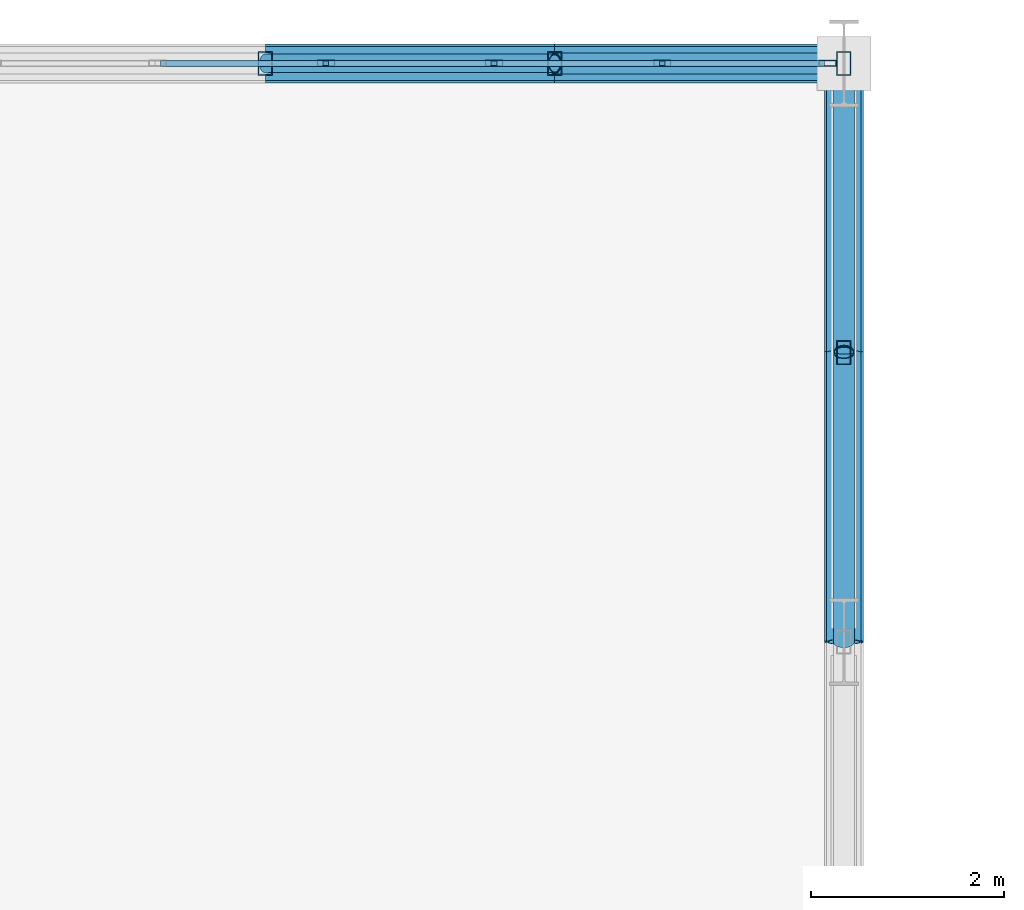
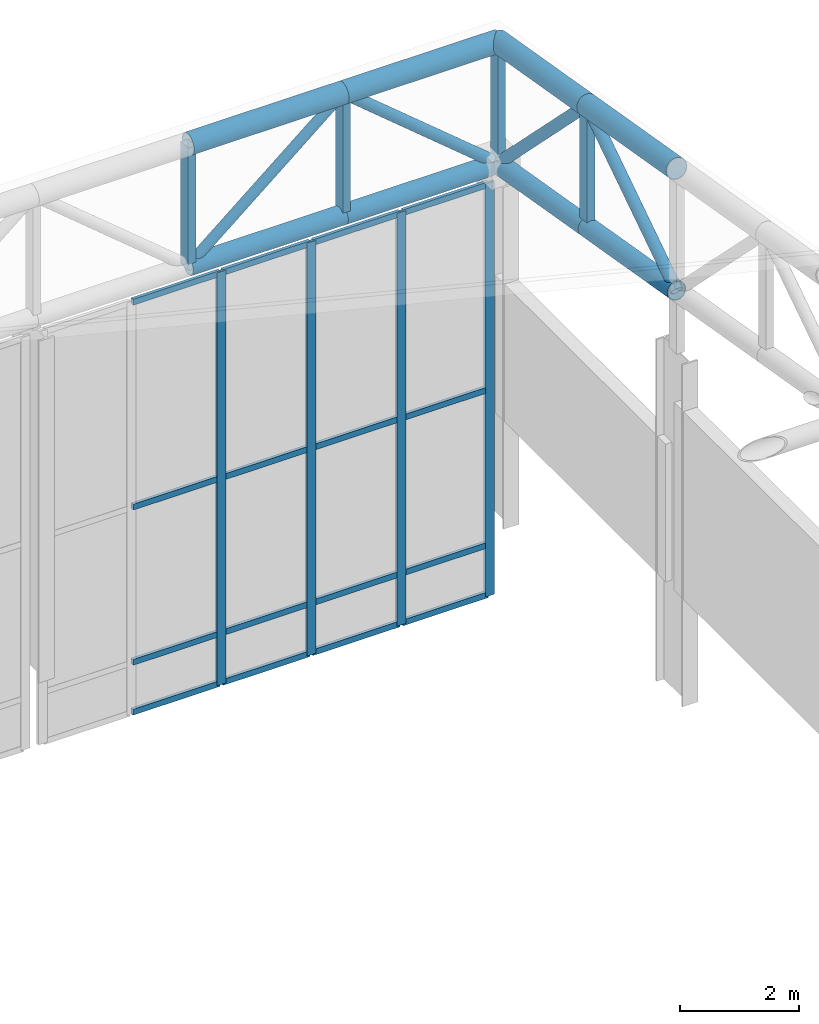
# One storey, part 137 of 239: 36 members, 1 element without a shape of its own.
"""IFC4 building model written with IfcOpenShell, lengths in metres."""

from ifc_helpers import new_model, si_unit, direction, frame, origin, origin_2d, place, context, subcontext, project, spatial, hollow_rectangle, hollow_circle, extrude, material, material_profile, profile_set, type_object, element, aggregate, save


model = new_model("IFC4")

# Units and contexts
model_context = context("Model", 3, precision=1e-05, world=origin(), true_north=direction((0.0, 1.0)))
body_context = subcontext(model_context, "Body", "Model", "MODEL_VIEW")
ifc_project = project(units=[si_unit("LENGTHUNIT", "METRE"), si_unit("AREAUNIT", "SQUARE_METRE"), si_unit("VOLUMEUNIT", "CUBIC_METRE"), si_unit("PLANEANGLEUNIT", "RADIAN"), si_unit("MASSUNIT", "GRAM", prefix="KILO")], contexts=[model_context])

# Site, building, storey
site_placement = place(None, origin())
site = spatial("IfcSite", under=ifc_project, at=site_placement, CompositionType="ELEMENT")
building_placement = place(site_placement, origin())
building = spatial("IfcBuilding", under=site, at=building_placement, Name="Kaldris Quays Convention Centre", CompositionType="ELEMENT")
storey_placement = place(building_placement, frame((0.0, 0.0, 11.39990234375)))
storey = spatial("IfcBuildingStorey", under=building, at=storey_placement, Name="L02", CompositionType="ELEMENT", Elevation=11.39990234375)

# Curtain wall, members
ifc_material_1 = material(Name="Anodized aluminium AW-6060 and triple glazing", Category="aluminium")
curtain_wall_type = type_object("IfcCurtainWallType", Name="UNITISED CURTAIN WALL CW03", PredefinedType="NOTDEFINED", material=ifc_material_1)
curtain_wall_placement = place(storey_placement, origin())
curtain_wall = element("IfcCurtainWall", 1, at=curtain_wall_placement, inside=storey, type_object=curtain_wall_type, Name="L02 Unitised Curtain Wall CW03 254", PredefinedType="NOTDEFINED")
ifc_material_2 = material(Name="Anodized aluminium AW-6060", Category="aluminium")
ifc_material_profile_1 = material_profile(ifc_material_2, hollow_rectangle(XDim=0.06005859375, YDim=0.179931640625, WallThickness=0.0048828125, at=origin_2d()), Name="RHS 180x60x5")
ifc_profile_set_1 = profile_set([ifc_material_profile_1], Name="Anodized aluminium AW-6060")
member_type_1 = type_object("IfcMemberType", Name="CURTAIN MULLION CWM2", PredefinedType="MULLION", material=ifc_profile_set_1)
member_1_placement = place(storey_placement, frame((140.6279296875, 140.0, -1.60498046875), z_axis=(0.0, 0.0, 1.0), x_axis=(0.0, 1.0, 0.0)))
member_1 = element("IfcMember", 2, at=member_1_placement, type_object=member_type_1, Name="CW03 mullion 3", PredefinedType="MULLION", context=body_context, shape_type="SweptSolid", body=[
    extrude(hollow_rectangle(XDim=0.06005859375, YDim=0.179931640625, WallThickness=0.0048828125, at=origin_2d()), origin(), (0.0, 0.0, 1.0), 8.455078125),
])
member_2_placement = place(storey_placement, frame((142.3720703125, 140.0, -1.60498046875), z_axis=(0.0, 0.0, 1.0), x_axis=(0.0, 1.0, 0.0)))
member_2 = element("IfcMember", 3, at=member_2_placement, type_object=member_type_1, Name="CW03 mullion 4", PredefinedType="MULLION", context=body_context, shape_type="SweptSolid", body=[
    extrude(hollow_rectangle(XDim=0.06005859375, YDim=0.179931640625, WallThickness=0.0048828125, at=origin_2d()), origin(), (0.0, 0.0, 1.0), 8.455078125),
])
member_3_placement = place(storey_placement, frame((144.115966796875, 140.0, -1.60498046875), z_axis=(0.0, 0.0, 1.0), x_axis=(0.0, 1.0, 0.0)))
member_3 = element("IfcMember", 4, at=member_3_placement, type_object=member_type_1, Name="CW03 mullion 5", PredefinedType="MULLION", context=body_context, shape_type="SweptSolid", body=[
    extrude(hollow_rectangle(XDim=0.06005859375, YDim=0.179931640625, WallThickness=0.0048828125, at=origin_2d()), origin(), (0.0, 0.0, 1.0), 8.455078125),
])
member_4_placement = place(storey_placement, frame((145.830078125, 140.0, -1.60498046875), z_axis=(0.0, 0.0, 1.0), x_axis=(0.0, 1.0, 0.0)))
member_4 = element("IfcMember", 5, at=member_4_placement, type_object=member_type_1, Name="CW03 mullion 6", PredefinedType="MULLION", context=body_context, shape_type="SweptSolid", body=[
    extrude(hollow_rectangle(XDim=0.06005859375, YDim=0.179931640625, WallThickness=0.0048828125, at=origin_2d()), origin(), (0.0, 0.0, 1.0), 8.455078125),
])
ifc_material_profile_2 = material_profile(ifc_material_2, hollow_rectangle(XDim=0.06005859375, YDim=0.1201171875, WallThickness=0.00390625, at=origin_2d()), Name="RHS 120x60x4")
ifc_profile_set_2 = profile_set([ifc_material_profile_2], Name="Anodized aluminium AW-6060")
member_type_2 = type_object("IfcMemberType", Name="CURTAIN TRANSOM CWT1", PredefinedType="USERDEFINED", material=ifc_profile_set_2)
member_5_placement = place(storey_placement, frame((138.9140625, 140.0, -1.574951171875), z_axis=(1.0, 0.0, 0.0), x_axis=(0.0, 1.0, 0.0)))
member_5 = element("IfcMember", 6, at=member_5_placement, type_object=member_type_2, Name="CW03 transom 2.1", ObjectType="TRANSOM", PredefinedType="USERDEFINED", context=body_context, shape_type="SweptSolid", body=[
    extrude(hollow_rectangle(XDim=0.06005859375, YDim=0.1201171875, WallThickness=0.00390625, at=origin_2d()), origin(), (0.0, 0.0, 1.0), 1.683837890625),
])
member_6_placement = place(storey_placement, frame((138.9140625, 140.0, -0.554931640625), z_axis=(1.0, 0.0, 0.0), x_axis=(0.0, 1.0, 0.0)))
member_6 = element("IfcMember", 7, at=member_6_placement, type_object=member_type_2, Name="CW03 transom 2.2", ObjectType="TRANSOM", PredefinedType="USERDEFINED", context=body_context, shape_type="SweptSolid", body=[
    extrude(hollow_rectangle(XDim=0.06005859375, YDim=0.1201171875, WallThickness=0.00390625, at=origin_2d()), origin(), (0.0, 0.0, 1.0), 1.683837890625),
])
member_7_placement = place(storey_placement, frame((138.9140625, 140.0, 2.623046875), z_axis=(1.0, 0.0, 0.0), x_axis=(0.0, 1.0, 0.0)))
member_7 = element("IfcMember", 8, at=member_7_placement, type_object=member_type_2, Name="CW03 transom 2.3", ObjectType="TRANSOM", PredefinedType="USERDEFINED", context=body_context, shape_type="SweptSolid", body=[
    extrude(hollow_rectangle(XDim=0.06005859375, YDim=0.1201171875, WallThickness=0.00390625, at=origin_2d()), origin(), (0.0, 0.0, 1.0), 1.683837890625),
])
member_8_placement = place(storey_placement, frame((138.9140625, 140.0, 6.820068359375), z_axis=(1.0, 0.0, 0.0), x_axis=(0.0, 1.0, 0.0)))
member_8 = element("IfcMember", 9, at=member_8_placement, type_object=member_type_2, Name="CW03 transom 2.4", ObjectType="TRANSOM", PredefinedType="USERDEFINED", context=body_context, shape_type="SweptSolid", body=[
    extrude(hollow_rectangle(XDim=0.06005859375, YDim=0.1201171875, WallThickness=0.00390625, at=origin_2d()), origin(), (0.0, 0.0, 1.0), 1.683837890625),
])
member_9_placement = place(storey_placement, frame((140.657958984375, 140.0, -1.574951171875), z_axis=(1.0, 0.0, 0.0), x_axis=(0.0, 1.0, 0.0)))
member_9 = element("IfcMember", 10, at=member_9_placement, type_object=member_type_2, Name="CW03 transom 3.1", ObjectType="TRANSOM", PredefinedType="USERDEFINED", context=body_context, shape_type="SweptSolid", body=[
    extrude(hollow_rectangle(XDim=0.06005859375, YDim=0.1201171875, WallThickness=0.00390625, at=origin_2d()), origin(), (0.0, 0.0, 1.0), 1.68408203125),
])
member_10_placement = place(storey_placement, frame((140.657958984375, 140.0, -0.554931640625), z_axis=(1.0, 0.0, 0.0), x_axis=(0.0, 1.0, 0.0)))
member_10 = element("IfcMember", 11, at=member_10_placement, type_object=member_type_2, Name="CW03 transom 3.2", ObjectType="TRANSOM", PredefinedType="USERDEFINED", context=body_context, shape_type="SweptSolid", body=[
    extrude(hollow_rectangle(XDim=0.06005859375, YDim=0.1201171875, WallThickness=0.00390625, at=origin_2d()), origin(), (0.0, 0.0, 1.0), 1.68408203125),
])
member_11_placement = place(storey_placement, frame((140.657958984375, 140.0, 2.623046875), z_axis=(1.0, 0.0, 0.0), x_axis=(0.0, 1.0, 0.0)))
member_11 = element("IfcMember", 12, at=member_11_placement, type_object=member_type_2, Name="CW03 transom 3.3", ObjectType="TRANSOM", PredefinedType="USERDEFINED", context=body_context, shape_type="SweptSolid", body=[
    extrude(hollow_rectangle(XDim=0.06005859375, YDim=0.1201171875, WallThickness=0.00390625, at=origin_2d()), origin(), (0.0, 0.0, 1.0), 1.68408203125),
])
member_12_placement = place(storey_placement, frame((140.657958984375, 140.0, 6.820068359375), z_axis=(1.0, 0.0, 0.0), x_axis=(0.0, 1.0, 0.0)))
member_12 = element("IfcMember", 13, at=member_12_placement, type_object=member_type_2, Name="CW03 transom 3.4", ObjectType="TRANSOM", PredefinedType="USERDEFINED", context=body_context, shape_type="SweptSolid", body=[
    extrude(hollow_rectangle(XDim=0.06005859375, YDim=0.1201171875, WallThickness=0.00390625, at=origin_2d()), origin(), (0.0, 0.0, 1.0), 1.68408203125),
])
member_13_placement = place(storey_placement, frame((142.402099609375, 140.0, -1.574951171875), z_axis=(1.0, 0.0, 0.0), x_axis=(0.0, 1.0, 0.0)))
member_13 = element("IfcMember", 14, at=member_13_placement, type_object=member_type_2, Name="CW03 transom 4.1", ObjectType="TRANSOM", PredefinedType="USERDEFINED", context=body_context, shape_type="SweptSolid", body=[
    extrude(hollow_rectangle(XDim=0.06005859375, YDim=0.1201171875, WallThickness=0.00390625, at=origin_2d()), origin(), (0.0, 0.0, 1.0), 1.683837890625),
])
member_14_placement = place(storey_placement, frame((142.402099609375, 140.0, -0.554931640625), z_axis=(1.0, 0.0, 0.0), x_axis=(0.0, 1.0, 0.0)))
member_14 = element("IfcMember", 15, at=member_14_placement, type_object=member_type_2, Name="CW03 transom 4.2", ObjectType="TRANSOM", PredefinedType="USERDEFINED", context=body_context, shape_type="SweptSolid", body=[
    extrude(hollow_rectangle(XDim=0.06005859375, YDim=0.1201171875, WallThickness=0.00390625, at=origin_2d()), origin(), (0.0, 0.0, 1.0), 1.683837890625),
])
member_15_placement = place(storey_placement, frame((142.402099609375, 140.0, 2.623046875), z_axis=(1.0, 0.0, 0.0), x_axis=(0.0, 1.0, 0.0)))
member_15 = element("IfcMember", 16, at=member_15_placement, type_object=member_type_2, Name="CW03 transom 4.3", ObjectType="TRANSOM", PredefinedType="USERDEFINED", context=body_context, shape_type="SweptSolid", body=[
    extrude(hollow_rectangle(XDim=0.06005859375, YDim=0.1201171875, WallThickness=0.00390625, at=origin_2d()), origin(), (0.0, 0.0, 1.0), 1.683837890625),
])
member_16_placement = place(storey_placement, frame((142.402099609375, 140.0, 6.820068359375), z_axis=(1.0, 0.0, 0.0), x_axis=(0.0, 1.0, 0.0)))
member_16 = element("IfcMember", 17, at=member_16_placement, type_object=member_type_2, Name="CW03 transom 4.4", ObjectType="TRANSOM", PredefinedType="USERDEFINED", context=body_context, shape_type="SweptSolid", body=[
    extrude(hollow_rectangle(XDim=0.06005859375, YDim=0.1201171875, WallThickness=0.00390625, at=origin_2d()), origin(), (0.0, 0.0, 1.0), 1.683837890625),
])
member_17_placement = place(storey_placement, frame((144.14599609375, 140.0, -1.574951171875), z_axis=(1.0, 0.0, 0.0), x_axis=(0.0, 1.0, 0.0)))
member_17 = element("IfcMember", 18, at=member_17_placement, type_object=member_type_2, Name="CW03 transom 5.1", ObjectType="TRANSOM", PredefinedType="USERDEFINED", context=body_context, shape_type="SweptSolid", body=[
    extrude(hollow_rectangle(XDim=0.06005859375, YDim=0.1201171875, WallThickness=0.00390625, at=origin_2d()), origin(), (0.0, 0.0, 1.0), 1.654052734375),
])
member_18_placement = place(storey_placement, frame((144.14599609375, 140.0, -0.554931640625), z_axis=(1.0, 0.0, 0.0), x_axis=(0.0, 1.0, 0.0)))
member_18 = element("IfcMember", 19, at=member_18_placement, type_object=member_type_2, Name="CW03 transom 5.2", ObjectType="TRANSOM", PredefinedType="USERDEFINED", context=body_context, shape_type="SweptSolid", body=[
    extrude(hollow_rectangle(XDim=0.06005859375, YDim=0.1201171875, WallThickness=0.00390625, at=origin_2d()), origin(), (0.0, 0.0, 1.0), 1.654052734375),
])
member_19_placement = place(storey_placement, frame((144.14599609375, 140.0, 2.623046875), z_axis=(1.0, 0.0, 0.0), x_axis=(0.0, 1.0, 0.0)))
member_19 = element("IfcMember", 20, at=member_19_placement, type_object=member_type_2, Name="CW03 transom 5.3", ObjectType="TRANSOM", PredefinedType="USERDEFINED", context=body_context, shape_type="SweptSolid", body=[
    extrude(hollow_rectangle(XDim=0.06005859375, YDim=0.1201171875, WallThickness=0.00390625, at=origin_2d()), origin(), (0.0, 0.0, 1.0), 1.654052734375),
])
member_20_placement = place(storey_placement, frame((144.14599609375, 140.0, 6.820068359375), z_axis=(1.0, 0.0, 0.0), x_axis=(0.0, 1.0, 0.0)))
member_20 = element("IfcMember", 21, at=member_20_placement, type_object=member_type_2, Name="CW03 transom 5.4", ObjectType="TRANSOM", PredefinedType="USERDEFINED", context=body_context, shape_type="SweptSolid", body=[
    extrude(hollow_rectangle(XDim=0.06005859375, YDim=0.1201171875, WallThickness=0.00390625, at=origin_2d()), origin(), (0.0, 0.0, 1.0), 1.654052734375),
])
aggregate(curtain_wall, [member_1, member_2, member_3, member_4, member_5, member_6, member_7, member_8, member_9, member_10, member_11, member_12, member_13, member_14, member_15, member_16, member_17, member_18, member_19, member_20])

# Members
ifc_material_3 = material(Name="Steel S355J2H", Category="steel")
ifc_material_profile_3 = material_profile(ifc_material_3, hollow_circle(Radius=0.203125, WallThickness=0.01611328125, at=origin_2d()), Name="CHS 406.4x16")
ifc_profile_set_3 = profile_set([ifc_material_profile_3], Name="Steel S355J2H")
member_type_3 = type_object("IfcMemberType", Name="STRUCTURAL MEMBER SC01", PredefinedType="CHORD", material=ifc_profile_set_3)
for number, where, z_axis, x_axis, name in (
    (22, (140.0, 140.0, 9.671875), (1.0, 0.0, 0.0), (0.0, 1.0, 0.0), "SF-V1 Top Chord X 335"),
    (23, (143.0, 140.0, 9.671875), (1.0, 0.0, 0.0), (0.0, 1.0, 0.0), "SF-V1 Top Chord X 336"),
):
    element("IfcMember", number, at=place(storey_placement, frame(where, z_axis=z_axis, x_axis=x_axis)), inside=storey, type_object=member_type_3, Name=name, PredefinedType="CHORD", context=body_context, shape_type="SweptSolid", body=[
        extrude(hollow_circle(Radius=0.203125, WallThickness=0.01611328125, at=origin_2d()), origin(), (0.0, 0.0, 1.0), 3.0),
    ])
for number, where, z_axis, x_axis, name in (
    (24, (146.0, 134.0, 10.700439453125), (0.0, 0.98562912375, -0.168923741424), (-1.0, 0.0, 0.0), "SF-V1 Top Chord Y 559"),
    (25, (146.0, 137.0, 10.186279296875), (0.0, 0.985615766076, -0.169001661712), (-1.0, 0.0, 0.0), "SF-V1 Top Chord Y 560"),
):
    element("IfcMember", number, at=place(storey_placement, frame(where, z_axis=z_axis, x_axis=x_axis)), inside=storey, type_object=member_type_3, Name=name, PredefinedType="CHORD", context=body_context, shape_type="SweptSolid", body=[
        extrude(hollow_circle(Radius=0.203125, WallThickness=0.01611328125, at=origin_2d()), origin(), (0.0, 0.0, 1.0), 3.043701171875),
    ])
ifc_material_profile_4 = material_profile(ifc_material_3, hollow_circle(Radius=0.177734375, WallThickness=0.01611328125, at=origin_2d()), Name="CHS 355.6x16")
ifc_profile_set_4 = profile_set([ifc_material_profile_4], Name="Steel S355J2H")
member_type_4 = type_object("IfcMemberType", Name="STRUCTURAL MEMBER SC02", PredefinedType="CHORD", material=ifc_profile_set_4)
for number, where, z_axis, x_axis, name in (
    (26, (140.0, 140.0, 7.171875), (1.0, 0.0, 0.0), (0.0, 1.0, 0.0), "SF-V1 Bottom Chord X 335"),
    (27, (143.0, 140.0, 7.171875), (1.0, 0.0, 0.0), (0.0, 1.0, 0.0), "SF-V1 Bottom Chord X 336"),
):
    element("IfcMember", number, at=place(storey_placement, frame(where, z_axis=z_axis, x_axis=x_axis)), inside=storey, type_object=member_type_4, Name=name, PredefinedType="CHORD", context=body_context, shape_type="SweptSolid", body=[
        extrude(hollow_circle(Radius=0.177734375, WallThickness=0.01611328125, at=origin_2d()), origin(), (0.0, 0.0, 1.0), 3.0),
    ])
for number, where, z_axis, x_axis, name in (
    (28, (146.0, 134.0, 8.200439453125), (0.0, 0.98562912375, -0.168923741424), (-1.0, 0.0, 0.0), "SF-V1 Bottom Chord Y 559"),
    (29, (146.0, 137.0, 7.686279296875), (0.0, 0.985615766076, -0.169001661712), (-1.0, 0.0, 0.0), "SF-V1 Bottom Chord Y 560"),
):
    element("IfcMember", number, at=place(storey_placement, frame(where, z_axis=z_axis, x_axis=x_axis)), inside=storey, type_object=member_type_4, Name=name, PredefinedType="CHORD", context=body_context, shape_type="SweptSolid", body=[
        extrude(hollow_circle(Radius=0.177734375, WallThickness=0.01611328125, at=origin_2d()), origin(), (0.0, 0.0, 1.0), 3.043701171875),
    ])
ifc_material_profile_5 = material_profile(ifc_material_3, hollow_circle(Radius=0.109619140625, WallThickness=0.010009765625, at=origin_2d()), Name="CHS 219.1x10")
ifc_profile_set_5 = profile_set([ifc_material_profile_5], Name="Steel S355J2H")
member_type_5 = type_object("IfcMemberType", Name="STRUCTURAL MEMBER SWB1", PredefinedType="BRACE", material=ifc_profile_set_5)
member_21_placement = place(storey_placement, frame((146.0, 140.0, 7.171875), z_axis=(-0.768221279597, 0.0, 0.640184399664), x_axis=(0.0, -1.0, 0.0)))
element("IfcMember", 30, at=member_21_placement, inside=storey, type_object=member_type_5, Name="SF-V1 Web Diagonal X 336", PredefinedType="BRACE", context=body_context, shape_type="SweptSolid", body=[
    extrude(hollow_circle(Radius=0.109619140625, WallThickness=0.010009765625, at=origin_2d()), origin(), (0.0, 0.0, 1.0), 3.905029296875),
])
member_22_placement = place(storey_placement, frame((146.0, 134.0, 8.200439453125), z_axis=(0.0, 0.833862389808, 0.551972385962), x_axis=(-1.0, 0.0, 0.0)))
element("IfcMember", 31, at=member_22_placement, inside=storey, type_object=member_type_5, Name="SF-V1 Web Diagonal Y 559", PredefinedType="BRACE", context=body_context, shape_type="SweptSolid", body=[
    extrude(hollow_circle(Radius=0.109619140625, WallThickness=0.010009765625, at=origin_2d()), origin(), (0.0, 0.0, 1.0), 3.59765625),
])
member_23_placement = place(storey_placement, frame((146.0, 140.0, 7.171875), z_axis=(0.0, -0.705411261057, 0.708798245465), x_axis=(1.0, 0.0, 0.0)))
element("IfcMember", 32, at=member_23_placement, inside=storey, type_object=member_type_5, Name="SF-V1 Web Diagonal Y 560", PredefinedType="BRACE", context=body_context, shape_type="SweptSolid", body=[
    extrude(hollow_circle(Radius=0.109619140625, WallThickness=0.010009765625, at=origin_2d()), origin(), (0.0, 0.0, 1.0), 4.2529296875),
])
ifc_material_profile_6 = material_profile(ifc_material_3, hollow_circle(Radius=0.096923828125, WallThickness=0.008056640625, at=origin_2d()), Name="CHS 193.7x8")
ifc_profile_set_6 = profile_set([ifc_material_profile_6], Name="Steel S355J2H")
member_type_6 = type_object("IfcMemberType", Name="STRUCTURAL MEMBER SWB3", PredefinedType="BRACE", material=ifc_profile_set_6)
member_24_placement = place(storey_placement, frame((140.0, 140.0, 7.171875), z_axis=(0.768221279597, 0.0, 0.640184399664), x_axis=(0.0, 1.0, 0.0)))
element("IfcMember", 33, at=member_24_placement, inside=storey, type_object=member_type_6, Name="SF-V1 Web Diagonal X 335", PredefinedType="BRACE", context=body_context, shape_type="SweptSolid", body=[
    extrude(hollow_circle(Radius=0.096923828125, WallThickness=0.008056640625, at=origin_2d()), origin(), (0.0, 0.0, 1.0), 3.905029296875),
])
ifc_material_profile_7 = material_profile(ifc_material_3, hollow_rectangle(XDim=0.14990234375, YDim=0.25, WallThickness=0.010009765625, at=origin_2d()), Name="RHS 250x150x10")
ifc_profile_set_7 = profile_set([ifc_material_profile_7], Name="Steel S355J2H")
member_type_7 = type_object("IfcMemberType", Name="STRUCTURAL MEMBER TTV1", PredefinedType="POST", material=ifc_profile_set_7)
for number, where, z_axis, x_axis, name in (
    (34, (140.0, 140.0, 7.171875), (0.0, 0.0, 1.0), (1.0, 0.0, 0.0), "SF-V1 Space-Frame Post 475"),
    (35, (143.0, 140.0, 7.171875), (0.0, 0.0, 1.0), (1.0, 0.0, 0.0), "SF-V1 Space-Frame Post 483"),
    (36, (146.0, 137.0, 7.686279296875), (0.0, 0.0, 1.0), (1.0, 0.0, 0.0), "SF-V1 Space-Frame Post 511"),
):
    element("IfcMember", number, at=place(storey_placement, frame(where, z_axis=z_axis, x_axis=x_axis)), inside=storey, type_object=member_type_7, Name=name, PredefinedType="POST", context=body_context, shape_type="SweptSolid", body=[
        extrude(hollow_rectangle(XDim=0.14990234375, YDim=0.25, WallThickness=0.010009765625, at=origin_2d()), origin(), (0.0, 0.0, 1.0), 2.5),
    ])
member_25_placement = place(storey_placement, frame((146.0, 140.0, 6.994140625), z_axis=(0.0, 0.0, 1.0), x_axis=(1.0, 0.0, 0.0)))
element("IfcMember", 37, at=member_25_placement, inside=storey, type_object=member_type_7, Name="SF-V1 Space-Frame Post 512", PredefinedType="POST", context=body_context, shape_type="SweptSolid", body=[
    extrude(hollow_rectangle(XDim=0.14990234375, YDim=0.25, WallThickness=0.010009765625, at=origin_2d()), origin(), (0.0, 0.0, 1.0), 2.677734375),
])

save(model, "model.ifc")
